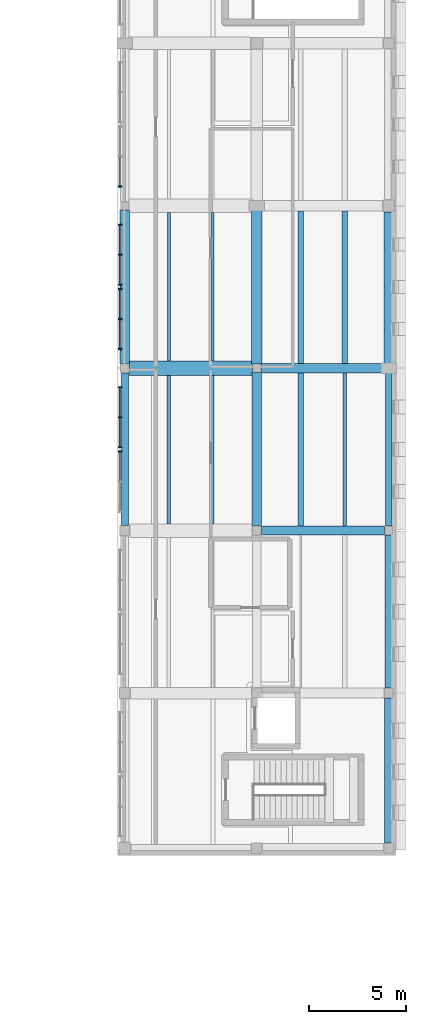
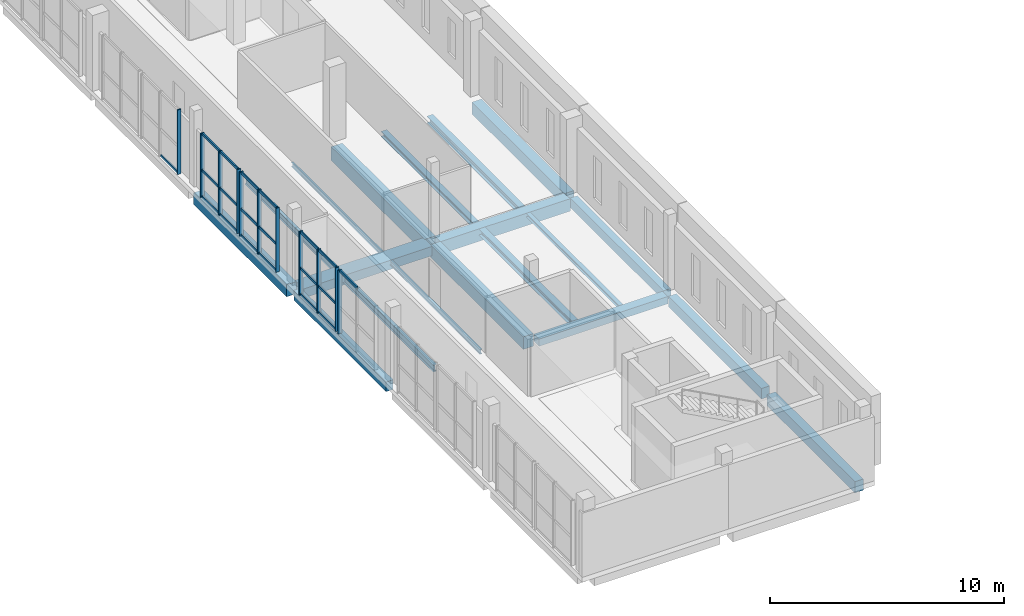
# One storey, part 25 of 56: 31 members, 19 beams, 5 elements without a shape of their own.
"""IFC4 building model written with IfcOpenShell, lengths in metres."""

from ifc_helpers import new_model, si_unit, direction, frame, origin, origin_2d, place, context, subcontext, project, spatial, rectangle, i_section, extrude, material, layer, layer_set, material_profile, profile_set, type_object, element, aggregate, save


model = new_model("IFC4")

# Units and contexts
model_context = context("Model", 3, precision=1e-05, world=origin(), true_north=direction((0.0, 1.0)))
body_context = subcontext(model_context, "Body", "Model", "MODEL_VIEW")
ifc_project = project(units=[si_unit("LENGTHUNIT", "METRE"), si_unit("AREAUNIT", "SQUARE_METRE"), si_unit("VOLUMEUNIT", "CUBIC_METRE"), si_unit("PLANEANGLEUNIT", "RADIAN"), si_unit("MASSUNIT", "GRAM", prefix="KILO")], contexts=[model_context])

# Site, building, storey
site_placement = place(None, origin())
site = spatial("IfcSite", under=ifc_project, at=site_placement, CompositionType="ELEMENT")
building_placement = place(site_placement, origin())
building = spatial("IfcBuilding", under=site, at=building_placement, Name="Vardoun Plaza Health Centre", CompositionType="ELEMENT")
storey_placement = place(building_placement, frame((0.0, 0.0, 8.699951171875)))
storey = spatial("IfcBuildingStorey", under=building, at=storey_placement, Name="L02", CompositionType="ELEMENT", Elevation=8.699951171875)

# Beams
ifc_material_1 = material(Name="Concrete C35/45", Category="concrete")
ifc_material_profile_1 = material_profile(ifc_material_1, rectangle(XDim=0.35009765625, YDim=0.5, at=origin_2d()), Name="RC-BM 350x500")
ifc_profile_set_1 = profile_set([ifc_material_profile_1], Name="Concrete C35/45")
beam_type_1 = type_object("IfcBeamType", Name="B-08", PredefinedType="SPANDREL", material=ifc_profile_set_1)
beam_1_placement = place(storey_placement, frame((151.280029296875, 53.375, -0.5), z_axis=(0.0, 1.0, 0.0), x_axis=(-1.0, 0.0, 0.0)))
element("IfcBeam", 1, at=beam_1_placement, inside=storey, type_object=beam_type_1, Name="V6 L02 Beam B-V6-L02-Y17", PredefinedType="SPANDREL", context=body_context, shape_type="SweptSolid", body=[
    extrude(rectangle(XDim=0.35009765625, YDim=0.5, at=origin_2d()), origin(), (0.0, 0.0, 1.0), 7.875),
])
beam_2_placement = place(storey_placement, frame((164.919921875, 53.324951171875, -0.5), z_axis=(0.0, 1.0, 0.0), x_axis=(-1.0, 0.0, 0.0)))
element("IfcBeam", 2, at=beam_2_placement, inside=storey, type_object=beam_type_1, Name="V6 L02 Beam B-V6-L02-Y27", PredefinedType="SPANDREL", context=body_context, shape_type="SweptSolid", body=[
    extrude(rectangle(XDim=0.35009765625, YDim=0.5, at=origin_2d()), origin(), (0.0, 0.0, 1.0), 7.97509765625),
])
ifc_material_2 = material(Name="Concrete C35/45", Category="concrete")
ifc_material_profile_2 = material_profile(ifc_material_2, rectangle(XDim=0.39990234375, YDim=0.550048828125, at=origin_2d()), Name="RC-BM 400x550")
ifc_profile_set_2 = profile_set([ifc_material_profile_2], Name="Concrete C35/45")
beam_type_2 = type_object("IfcBeamType", Name="B-09", PredefinedType="SPANDREL", material=ifc_profile_set_2)
beam_3_placement = place(storey_placement, frame((164.919921875, 44.949951171875, -0.52490234375), z_axis=(0.0, 1.0, 0.0), x_axis=(-1.0, 0.0, 0.0)))
element("IfcBeam", 3, at=beam_3_placement, inside=storey, type_object=beam_type_2, Name="V6 L02 Beam B-V6-L02-Y26", PredefinedType="SPANDREL", context=body_context, shape_type="SweptSolid", body=[
    extrude(rectangle(XDim=0.39990234375, YDim=0.550048828125, at=origin_2d()), origin(), (0.0, 0.0, 1.0), 7.925048828125),
])
ifc_material_3 = material(Name="Concrete C35/45", Category="concrete")
ifc_material_profile_3 = material_profile(ifc_material_3, rectangle(XDim=0.419921875, YDim=0.580078125, at=origin_2d()), Name="RC-BM 420x580")
ifc_profile_set_3 = profile_set([ifc_material_profile_3], Name="Concrete C35/45")
beam_type_3 = type_object("IfcBeamType", Name="B-10", PredefinedType="SPANDREL", material=ifc_profile_set_3)
beam_4_placement = place(storey_placement, frame((164.919921875, 36.955078125, -0.5400390625), z_axis=(0.0, 1.0, 0.0), x_axis=(-1.0, 0.0, 0.0)))
element("IfcBeam", 4, at=beam_4_placement, inside=storey, type_object=beam_type_3, Name="V6 L02 Beam B-V6-L02-Y25", PredefinedType="SPANDREL", context=body_context, shape_type="SweptSolid", body=[
    extrude(rectangle(XDim=0.419921875, YDim=0.580078125, at=origin_2d()), origin(), (0.0, 0.0, 1.0), 7.494873046875),
])
ifc_material_4 = material(Name="Concrete C35/45", Category="concrete")
ifc_material_profile_4 = material_profile(ifc_material_4, rectangle(XDim=0.449951171875, YDim=0.3798828125, at=origin_2d()), Name="RC-BM 450x380")
ifc_profile_set_4 = profile_set([ifc_material_profile_4], Name="Concrete C35/45")
beam_type_4 = type_object("IfcBeamType", Name="B-01", PredefinedType="BEAM", material=ifc_profile_set_4)
beam_5_placement = place(storey_placement, frame((158.35009765625, 53.10009765625, -0.43994140625), z_axis=(1.0, 0.0, 0.0), x_axis=(0.0, 1.0, 0.0)))
element("IfcBeam", 5, at=beam_5_placement, inside=storey, type_object=beam_type_4, Name="V6 L02 Beam B-V6-L02-X10", PredefinedType="BEAM", context=body_context, shape_type="SweptSolid", body=[
    extrude(rectangle(XDim=0.449951171875, YDim=0.3798828125, at=origin_2d()), origin(), (0.0, 0.0, 1.0), 6.344970703125),
])
ifc_material_5 = material(Name="Concrete C35/45", Category="concrete")
ifc_material_profile_5 = material_profile(ifc_material_5, rectangle(XDim=0.47998046875, YDim=0.6201171875, at=origin_2d()), Name="RC-BM 480x620")
ifc_profile_set_5 = profile_set([ifc_material_profile_5], Name="Concrete C35/45")
beam_type_5 = type_object("IfcBeamType", Name="B-12", PredefinedType="SPANDREL", material=ifc_profile_set_5)
beam_6_placement = place(storey_placement, frame((151.280029296875, 61.75, -0.56005859375), z_axis=(0.0, 1.0, 0.0), x_axis=(-1.0, 0.0, 0.0)))
element("IfcBeam", 6, at=beam_6_placement, inside=storey, type_object=beam_type_5, Name="V6 L02 Beam B-V6-L02-Y18", PredefinedType="SPANDREL", context=body_context, shape_type="SweptSolid", body=[
    extrude(rectangle(XDim=0.47998046875, YDim=0.6201171875, at=origin_2d()), origin(), (0.0, 0.0, 1.0), 7.925048828125),
])
beam_7_placement = place(storey_placement, frame((164.919921875, 61.699951171875, -0.56005859375), z_axis=(0.0, 1.0, 0.0), x_axis=(-1.0, 0.0, 0.0)))
element("IfcBeam", 7, at=beam_7_placement, inside=storey, type_object=beam_type_5, Name="V6 L02 Beam B-V6-L02-Y28", PredefinedType="SPANDREL", context=body_context, shape_type="SweptSolid", body=[
    extrude(rectangle(XDim=0.47998046875, YDim=0.6201171875, at=origin_2d()), origin(), (0.0, 0.0, 1.0), 7.875),
])
ifc_material_6 = material(Name="Concrete C40/50", Category="concrete")
ifc_material_profile_6 = material_profile(ifc_material_6, rectangle(XDim=0.5, YDim=0.64990234375, at=origin_2d()), Name="RC-BM 500x650")
ifc_profile_set_6 = profile_set([ifc_material_profile_6], Name="Concrete C40/50")
beam_type_6 = type_object("IfcBeamType", Name="B-13", PredefinedType="BEAM", material=ifc_profile_set_6)
beam_8_placement = place(storey_placement, frame((158.324951171875, 61.5, -0.574951171875), z_axis=(1.0, 0.0, 0.0), x_axis=(0.0, 1.0, 0.0)))
element("IfcBeam", 8, at=beam_8_placement, inside=storey, type_object=beam_type_6, Name="V6 L02 Beam B-V6-L02-X11", PredefinedType="BEAM", context=body_context, shape_type="SweptSolid", body=[
    extrude(rectangle(XDim=0.5, YDim=0.64990234375, at=origin_2d()), origin(), (0.0, 0.0, 1.0), 6.39501953125),
])
beam_9_placement = place(storey_placement, frame((158.10009765625, 53.35009765625, -0.574951171875), z_axis=(0.0, 1.0, 0.0), x_axis=(-1.0, 0.0, 0.0)))
element("IfcBeam", 9, at=beam_9_placement, inside=storey, type_object=beam_type_6, Name="V6 L02 Beam B-V6-L02-Y22", PredefinedType="BEAM", context=body_context, shape_type="SweptSolid", body=[
    extrude(rectangle(XDim=0.5, YDim=0.64990234375, at=origin_2d()), origin(), (0.0, 0.0, 1.0), 7.925048828125),
])
ifc_material_7 = material(Name="Concrete C40/50", Category="concrete")
ifc_material_profile_7 = material_profile(ifc_material_7, rectangle(XDim=0.550048828125, YDim=0.719970703125, at=origin_2d()), Name="RC-BM 550x720")
ifc_profile_set_7 = profile_set([ifc_material_profile_7], Name="Concrete C40/50")
beam_type_7 = type_object("IfcBeamType", Name="B-14", PredefinedType="BEAM", material=ifc_profile_set_7)
beam_10_placement = place(storey_placement, frame((158.10009765625, 61.72509765625, -0.60986328125), z_axis=(0.0, 1.0, 0.0), x_axis=(-1.0, 0.0, 0.0)))
element("IfcBeam", 10, at=beam_10_placement, inside=storey, type_object=beam_type_7, Name="V6 L02 Beam B-V6-L02-Y23", PredefinedType="BEAM", context=body_context, shape_type="SweptSolid", body=[
    extrude(rectangle(XDim=0.550048828125, YDim=0.719970703125, at=origin_2d()), origin(), (0.0, 0.0, 1.0), 7.974853515625),
])
ifc_material_8 = material(Name="Concrete C35/45", Category="concrete")
ifc_material_profile_8 = material_profile(ifc_material_8, rectangle(XDim=0.75, YDim=0.47998046875, at=origin_2d()), Name="RC-BM 750x480")
ifc_profile_set_8 = profile_set([ifc_material_profile_8], Name="Concrete C35/45")
beam_type_8 = type_object("IfcBeamType", Name="B-07", PredefinedType="BEAM", material=ifc_profile_set_8)
beam_11_placement = place(storey_placement, frame((151.530029296875, 61.5, -0.489990234375), z_axis=(1.0, 0.0, 0.0), x_axis=(0.0, 1.0, 0.0)))
element("IfcBeam", 11, at=beam_11_placement, inside=storey, type_object=beam_type_8, Name="V6 L02 Beam B-V6-L02-X04", PredefinedType="BEAM", context=body_context, shape_type="SweptSolid", body=[
    extrude(rectangle(XDim=0.75, YDim=0.47998046875, at=origin_2d()), origin(), (0.0, 0.0, 1.0), 6.344970703125),
])
ifc_material_9 = material(Name="Steel S355J2", Category="steel")
ifc_material_profile_9 = material_profile(ifc_material_9, i_section(OverallWidth=0.199951171875, OverallDepth=0.18994140625, WebThickness=0.006591796875, FlangeThickness=0.010009765625, FilletRadius=0.01806640625, at=origin_2d()), Name="HEA 200")
ifc_profile_set_9 = profile_set([ifc_material_profile_9], Name="Steel S355J2")
beam_type_9 = type_object("IfcBeamType", Name="SB-09", PredefinedType="BEAM", material=ifc_profile_set_9)
beam_12_placement = place(storey_placement, frame((162.64697265625, 53.324951171875, -0.344970703125), z_axis=(0.0, 1.0, 0.0), x_axis=(-1.0, 0.0, 0.0)))
element("IfcBeam", 12, at=beam_12_placement, inside=storey, type_object=beam_type_9, Name="V6 L02 Secondary Floor Beam SJ-V6-L02-14", PredefinedType="BEAM", context=body_context, shape_type="SweptSolid", body=[
    extrude(i_section(OverallWidth=0.199951171875, OverallDepth=0.18994140625, WebThickness=0.006591796875, FlangeThickness=0.010009765625, FilletRadius=0.01806640625, at=origin_2d()), origin(), (0.0, 0.0, 1.0), 7.925048828125),
])
ifc_material_10 = material(Name="Steel S355J2", Category="steel")
ifc_material_profile_10 = material_profile(ifc_material_10, i_section(OverallWidth=0.280029296875, OverallDepth=0.27001953125, WebThickness=0.008056640625, FlangeThickness=0.012939453125, FilletRadius=0.02392578125, at=origin_2d()), Name="HEA 280")
ifc_profile_set_10 = profile_set([ifc_material_profile_10], Name="Steel S355J2")
beam_type_10 = type_object("IfcBeamType", Name="SB-06", PredefinedType="BEAM", material=ifc_profile_set_10)
beam_13_placement = place(storey_placement, frame((160.373046875, 61.75, -0.385009765625), z_axis=(0.0, 1.0, 0.0), x_axis=(-1.0, 0.0, 0.0)))
element("IfcBeam", 13, at=beam_13_placement, inside=storey, type_object=beam_type_10, Name="V6 L02 Secondary Floor Beam SJ-V6-L02-11", PredefinedType="BEAM", context=body_context, shape_type="SweptSolid", body=[
    extrude(i_section(OverallWidth=0.280029296875, OverallDepth=0.27001953125, WebThickness=0.008056640625, FlangeThickness=0.012939453125, FilletRadius=0.02392578125, at=origin_2d()), origin(), (0.0, 0.0, 1.0), 7.875),
])
ifc_material_11 = material(Name="Steel S355J2", Category="steel")
ifc_material_profile_11 = material_profile(ifc_material_11, i_section(OverallWidth=0.300048828125, OverallDepth=0.330078125, WebThickness=0.009521484375, FlangeThickness=0.0166015625, FilletRadius=0.027099609375, at=origin_2d()), Name="HEA 340")
ifc_profile_set_11 = profile_set([ifc_material_profile_11], Name="Steel S355J2")
beam_type_11 = type_object("IfcBeamType", Name="SB-04", PredefinedType="BEAM", material=ifc_profile_set_11)
beam_14_placement = place(storey_placement, frame((160.373046875, 53.324951171875, -0.4150390625), z_axis=(0.0, 1.0, 0.0), x_axis=(-1.0, 0.0, 0.0)))
element("IfcBeam", 14, at=beam_14_placement, inside=storey, type_object=beam_type_11, Name="V6 L02 Secondary Floor Beam SJ-V6-L02-10", PredefinedType="BEAM", context=body_context, shape_type="SweptSolid", body=[
    extrude(i_section(OverallWidth=0.300048828125, OverallDepth=0.330078125, WebThickness=0.009521484375, FlangeThickness=0.0166015625, FilletRadius=0.027099609375, at=origin_2d()), origin(), (0.0, 0.0, 1.0), 7.925048828125),
])
ifc_material_12 = material(Name="Steel S355J2", Category="steel")
ifc_material_profile_12 = material_profile(ifc_material_12, i_section(OverallWidth=0.300048828125, OverallDepth=0.360107421875, WebThickness=0.012451171875, FlangeThickness=0.0224609375, FilletRadius=0.027099609375, at=origin_2d()), Name="HEB 360")
ifc_profile_set_12 = profile_set([ifc_material_profile_12], Name="Steel S355J2")
beam_type_12 = type_object("IfcBeamType", Name="RB-04", PredefinedType="BEAM", material=ifc_profile_set_12)
beam_15_placement = place(storey_placement, frame((162.64697265625, 61.75, -0.429931640625), z_axis=(0.0, 1.0, 0.0), x_axis=(-1.0, 0.0, 0.0)))
element("IfcBeam", 15, at=beam_15_placement, inside=storey, type_object=beam_type_12, Name="V6 L02 Secondary Floor Beam SJ-V6-L02-15", PredefinedType="BEAM", context=body_context, shape_type="SweptSolid", body=[
    extrude(i_section(OverallWidth=0.300048828125, OverallDepth=0.360107421875, WebThickness=0.012451171875, FlangeThickness=0.0224609375, FilletRadius=0.027099609375, at=origin_2d()), origin(), (0.0, 0.0, 1.0), 7.875),
])
ifc_material_13 = material(Name="Steel S355J2", Category="steel")
ifc_material_profile_13 = material_profile(ifc_material_13, i_section(OverallWidth=0.110107421875, OverallDepth=0.219970703125, WebThickness=0.005859375, FlangeThickness=0.00927734375, FilletRadius=0.011962890625, at=origin_2d()), Name="IPE 220")
ifc_profile_set_13 = profile_set([ifc_material_profile_13], Name="Steel S355J2")
beam_type_13 = type_object("IfcBeamType", Name="SB-18", PredefinedType="JOIST", material=ifc_profile_set_13)
beam_16_placement = place(storey_placement, frame((155.826904296875, 61.875, -0.35986328125), z_axis=(0.0, 1.0, 0.0), x_axis=(-1.0, 0.0, 0.0)))
element("IfcBeam", 16, at=beam_16_placement, inside=storey, type_object=beam_type_13, Name="V6 L02 Secondary Floor Beam SJ-V6-L02-07", PredefinedType="JOIST", context=body_context, shape_type="SweptSolid", body=[
    extrude(i_section(OverallWidth=0.110107421875, OverallDepth=0.219970703125, WebThickness=0.005859375, FlangeThickness=0.00927734375, FilletRadius=0.011962890625, at=origin_2d()), origin(), (0.0, 0.0, 1.0), 7.675048828125),
])
ifc_material_14 = material(Name="Steel S355J2", Category="steel")
ifc_material_profile_14 = material_profile(ifc_material_14, i_section(OverallWidth=0.1201171875, OverallDepth=0.239990234375, WebThickness=0.006103515625, FlangeThickness=0.009765625, FilletRadius=0.014892578125, at=origin_2d()), Name="IPE 240")
ifc_profile_set_14 = profile_set([ifc_material_profile_14], Name="Steel S355J2")
beam_type_14 = type_object("IfcBeamType", Name="SB-17", PredefinedType="JOIST", material=ifc_profile_set_14)
beam_17_placement = place(storey_placement, frame((155.826904296875, 53.449951171875, -0.369873046875), z_axis=(0.0, 1.0, 0.0), x_axis=(-1.0, 0.0, 0.0)))
element("IfcBeam", 17, at=beam_17_placement, inside=storey, type_object=beam_type_14, Name="V6 L02 Secondary Floor Beam SJ-V6-L02-06", PredefinedType="JOIST", context=body_context, shape_type="SweptSolid", body=[
    extrude(i_section(OverallWidth=0.1201171875, OverallDepth=0.239990234375, WebThickness=0.006103515625, FlangeThickness=0.009765625, FilletRadius=0.014892578125, at=origin_2d()), origin(), (0.0, 0.0, 1.0), 7.675048828125),
])
ifc_material_15 = material(Name="Steel S355J2", Category="steel")
ifc_material_profile_15 = material_profile(ifc_material_15, i_section(OverallWidth=0.159912109375, OverallDepth=0.330078125, WebThickness=0.007568359375, FlangeThickness=0.011474609375, FilletRadius=0.01806640625, at=origin_2d()), Name="IPE 330")
ifc_profile_set_15 = profile_set([ifc_material_profile_15], Name="Steel S355J2")
beam_type_15 = type_object("IfcBeamType", Name="SB-14", PredefinedType="JOIST", material=ifc_profile_set_15)
beam_18_placement = place(storey_placement, frame((153.552978515625, 61.875, -0.4150390625), z_axis=(0.0, 1.0, 0.0), x_axis=(-1.0, 0.0, 0.0)))
element("IfcBeam", 18, at=beam_18_placement, inside=storey, type_object=beam_type_15, Name="V6 L02 Secondary Floor Beam SJ-V6-L02-03", PredefinedType="JOIST", context=body_context, shape_type="SweptSolid", body=[
    extrude(i_section(OverallWidth=0.159912109375, OverallDepth=0.330078125, WebThickness=0.007568359375, FlangeThickness=0.011474609375, FilletRadius=0.01806640625, at=origin_2d()), origin(), (0.0, 0.0, 1.0), 7.675048828125),
])
ifc_material_16 = material(Name="Steel S355J2", Category="steel")
ifc_material_profile_16 = material_profile(ifc_material_16, i_section(OverallWidth=0.169921875, OverallDepth=0.360107421875, WebThickness=0.008056640625, FlangeThickness=0.0126953125, FilletRadius=0.01806640625, at=origin_2d()), Name="IPE 360")
ifc_profile_set_16 = profile_set([ifc_material_profile_16], Name="Steel S355J2")
beam_type_16 = type_object("IfcBeamType", Name="SB-13", PredefinedType="JOIST", material=ifc_profile_set_16)
beam_19_placement = place(storey_placement, frame((153.552978515625, 53.449951171875, -0.429931640625), z_axis=(0.0, 1.0, 0.0), x_axis=(-1.0, 0.0, 0.0)))
element("IfcBeam", 19, at=beam_19_placement, inside=storey, type_object=beam_type_16, Name="V6 L02 Secondary Floor Beam SJ-V6-L02-02", PredefinedType="JOIST", context=body_context, shape_type="SweptSolid", body=[
    extrude(i_section(OverallWidth=0.169921875, OverallDepth=0.360107421875, WebThickness=0.008056640625, FlangeThickness=0.0126953125, FilletRadius=0.01806640625, at=origin_2d()), origin(), (0.0, 0.0, 1.0), 7.675048828125),
])

# Curtain wall, member
ifc_material_17 = material(Name="Aluminium Alloy EN AW-6063-T6 and Low-E Glass", Category="aluminium")
ifc_layer = layer(ifc_material_17, 0.179931640625)
ifc_layer_set = layer_set([ifc_layer], Name="Aluminium Alloy EN AW-6063-T6 and Low-E Glass")
curtain_wall_type = type_object("IfcCurtainWallType", Name="CW-01", PredefinedType="USERDEFINED", material=ifc_layer_set)
curtain_wall_1_placement = place(storey_placement, origin())
curtain_wall_1 = element("IfcCurtainWall", 20, at=curtain_wall_1_placement, inside=storey, type_object=curtain_wall_type, Name="Curtain Wall CW-V6-219", ObjectType="CONCOURSE_CURTAIN_WALL", PredefinedType="USERDEFINED")
ifc_material_18 = material(Name="Aluminium Alloy EN AW-6063-T6", Category="aluminium")
ifc_material_profile_17 = material_profile(ifc_material_18, rectangle(XDim=0.179931640625, YDim=0.06494140625, at=origin_2d()), Name="CWM 65x180")
ifc_profile_set_17 = profile_set([ifc_material_profile_17], Name="Aluminium Alloy EN AW-6063-T6")
member_type_1 = type_object("IfcMemberType", Name="CW-M2", PredefinedType="MULLION", material=ifc_profile_set_17)
member_1_placement = place(storey_placement, frame((151.02001953125, 57.1875, 0.0), z_axis=(0.0, 0.0, 1.0), x_axis=(-1.0, 0.0, 0.0)))
member_1 = element("IfcMember", 21, at=member_1_placement, type_object=member_type_1, Name="CW-V6-219 mullion 3", PredefinedType="MULLION", context=body_context, shape_type="SweptSolid", body=[
    extrude(rectangle(XDim=0.179931640625, YDim=0.06494140625, at=origin_2d()), origin(), (0.0, 0.0, 1.0), 3.31494140625),
])

# Curtain wall, members
curtain_wall_2_placement = place(storey_placement, origin())
curtain_wall_2 = element("IfcCurtainWall", 22, at=curtain_wall_2_placement, inside=storey, type_object=curtain_wall_type, Name="Curtain Wall CW-V6-220", ObjectType="CONCOURSE_CURTAIN_WALL", PredefinedType="USERDEFINED")
member_2_placement = place(storey_placement, frame((151.02001953125, 57.41259765625, 0.0), z_axis=(0.0, 0.0, 1.0), x_axis=(-1.0, 0.0, 0.0)))
member_2 = element("IfcMember", 23, at=member_2_placement, type_object=member_type_1, Name="CW-V6-220 mullion 1", PredefinedType="MULLION", context=body_context, shape_type="SweptSolid", body=[
    extrude(rectangle(XDim=0.179931640625, YDim=0.06494140625, at=origin_2d()), origin(), (0.0, 0.0, 1.0), 3.31494140625),
])
member_3_placement = place(storey_placement, frame((151.02001953125, 58.9599609375, 0.0), z_axis=(0.0, 0.0, 1.0), x_axis=(-1.0, 0.0, 0.0)))
member_3 = element("IfcMember", 24, at=member_3_placement, type_object=member_type_1, Name="CW-V6-220 mullion 2", PredefinedType="MULLION", context=body_context, shape_type="SweptSolid", body=[
    extrude(rectangle(XDim=0.179931640625, YDim=0.06494140625, at=origin_2d()), origin(), (0.0, 0.0, 1.0), 3.31494140625),
])
member_4_placement = place(storey_placement, frame((151.02001953125, 60.507568359375, 0.0), z_axis=(0.0, 0.0, 1.0), x_axis=(-1.0, 0.0, 0.0)))
member_4 = element("IfcMember", 25, at=member_4_placement, type_object=member_type_1, Name="CW-V6-220 mullion 3", PredefinedType="MULLION", context=body_context, shape_type="SweptSolid", body=[
    extrude(rectangle(XDim=0.179931640625, YDim=0.06494140625, at=origin_2d()), origin(), (0.0, 0.0, 1.0), 3.31494140625),
])

curtain_wall_3_placement = place(storey_placement, origin())
curtain_wall_3 = element("IfcCurtainWall", 26, at=curtain_wall_3_placement, inside=storey, type_object=curtain_wall_type, Name="Curtain Wall CW-V6-221", ObjectType="CONCOURSE_CURTAIN_WALL", PredefinedType="USERDEFINED")
member_5_placement = place(storey_placement, frame((151.02001953125, 62.492431640625, 0.0), z_axis=(0.0, 0.0, 1.0), x_axis=(-1.0, 0.0, 0.0)))
member_5 = element("IfcMember", 27, at=member_5_placement, type_object=member_type_1, Name="CW-V6-221 mullion 1", PredefinedType="MULLION", context=body_context, shape_type="SweptSolid", body=[
    extrude(rectangle(XDim=0.179931640625, YDim=0.06494140625, at=origin_2d()), origin(), (0.0, 0.0, 1.0), 3.3349609375),
])
member_6_placement = place(storey_placement, frame((151.02001953125, 64.0400390625, 0.0), z_axis=(0.0, 0.0, 1.0), x_axis=(-1.0, 0.0, 0.0)))
member_6 = element("IfcMember", 28, at=member_6_placement, type_object=member_type_1, Name="CW-V6-221 mullion 2", PredefinedType="MULLION", context=body_context, shape_type="SweptSolid", body=[
    extrude(rectangle(XDim=0.179931640625, YDim=0.06494140625, at=origin_2d()), origin(), (0.0, 0.0, 1.0), 3.3349609375),
])
member_7_placement = place(storey_placement, frame((151.02001953125, 65.587646484375, 0.0), z_axis=(0.0, 0.0, 1.0), x_axis=(-1.0, 0.0, 0.0)))
member_7 = element("IfcMember", 29, at=member_7_placement, type_object=member_type_1, Name="CW-V6-221 mullion 3", PredefinedType="MULLION", context=body_context, shape_type="SweptSolid", body=[
    extrude(rectangle(XDim=0.179931640625, YDim=0.06494140625, at=origin_2d()), origin(), (0.0, 0.0, 1.0), 3.3349609375),
])

curtain_wall_4_placement = place(storey_placement, origin())
curtain_wall_4 = element("IfcCurtainWall", 30, at=curtain_wall_4_placement, inside=storey, type_object=curtain_wall_type, Name="Curtain Wall CW-V6-222", ObjectType="CONCOURSE_CURTAIN_WALL", PredefinedType="USERDEFINED")
member_8_placement = place(storey_placement, frame((151.02001953125, 65.8125, 0.0), z_axis=(0.0, 0.0, 1.0), x_axis=(-1.0, 0.0, 0.0)))
member_8 = element("IfcMember", 31, at=member_8_placement, type_object=member_type_1, Name="CW-V6-222 mullion 1", PredefinedType="MULLION", context=body_context, shape_type="SweptSolid", body=[
    extrude(rectangle(XDim=0.179931640625, YDim=0.06494140625, at=origin_2d()), origin(), (0.0, 0.0, 1.0), 3.3349609375),
])
member_9_placement = place(storey_placement, frame((151.02001953125, 67.360107421875, 0.0), z_axis=(0.0, 0.0, 1.0), x_axis=(-1.0, 0.0, 0.0)))
member_9 = element("IfcMember", 32, at=member_9_placement, type_object=member_type_1, Name="CW-V6-222 mullion 2", PredefinedType="MULLION", context=body_context, shape_type="SweptSolid", body=[
    extrude(rectangle(XDim=0.179931640625, YDim=0.06494140625, at=origin_2d()), origin(), (0.0, 0.0, 1.0), 3.3349609375),
])
member_10_placement = place(storey_placement, frame((151.02001953125, 68.907470703125, 0.0), z_axis=(0.0, 0.0, 1.0), x_axis=(-1.0, 0.0, 0.0)))
member_10 = element("IfcMember", 33, at=member_10_placement, type_object=member_type_1, Name="CW-V6-222 mullion 3", PredefinedType="MULLION", context=body_context, shape_type="SweptSolid", body=[
    extrude(rectangle(XDim=0.179931640625, YDim=0.06494140625, at=origin_2d()), origin(), (0.0, 0.0, 1.0), 3.3349609375),
])

# Curtain wall, member
curtain_wall_5_placement = place(storey_placement, origin())
curtain_wall_5 = element("IfcCurtainWall", 34, at=curtain_wall_5_placement, inside=storey, type_object=curtain_wall_type, Name="Curtain Wall CW-V6-223", ObjectType="CONCOURSE_CURTAIN_WALL", PredefinedType="USERDEFINED")
member_11_placement = place(storey_placement, frame((151.02001953125, 70.892578125, 0.0), z_axis=(0.0, 0.0, 1.0), x_axis=(-1.0, 0.0, 0.0)))
member_11 = element("IfcMember", 35, at=member_11_placement, type_object=member_type_1, Name="CW-V6-223 mullion 1", PredefinedType="MULLION", context=body_context, shape_type="SweptSolid", body=[
    extrude(rectangle(XDim=0.179931640625, YDim=0.06494140625, at=origin_2d()), origin(), (0.0, 0.0, 1.0), 3.35498046875),
])

# Member
ifc_material_19 = material(Name="Aluminium Alloy EN AW-6063-T6", Category="aluminium")
ifc_material_profile_18 = material_profile(ifc_material_19, rectangle(XDim=0.06494140625, YDim=0.139892578125, at=origin_2d()), Name="CWT 65x140")
ifc_profile_set_18 = profile_set([ifc_material_profile_18], Name="Aluminium Alloy EN AW-6063-T6")
member_type_2 = type_object("IfcMemberType", Name="CW-T2", PredefinedType="USERDEFINED", material=ifc_profile_set_18)
member_12_placement = place(storey_placement, frame((151.02001953125, 55.672607421875, 3.282470703125), z_axis=(0.0, 1.0, 0.0), x_axis=(-1.0, 0.0, 0.0)))
member_12 = element("IfcMember", 36, at=member_12_placement, type_object=member_type_2, Name="CW-V6-219 transom 2.3", ObjectType="TRANSOM", PredefinedType="USERDEFINED", context=body_context, shape_type="SweptSolid", body=[
    extrude(rectangle(XDim=0.06494140625, YDim=0.139892578125, at=origin_2d()), origin(), (0.0, 0.0, 1.0), 1.482421875),
])

aggregate(curtain_wall_1, [member_1, member_12])

member_13_placement = place(storey_placement, frame((151.02001953125, 57.445068359375, 0.032470703125), z_axis=(0.0, 1.0, 0.0), x_axis=(-1.0, 0.0, 0.0)))
member_13 = element("IfcMember", 37, at=member_13_placement, type_object=member_type_2, Name="CW-V6-220 transom 1.1", ObjectType="TRANSOM", PredefinedType="USERDEFINED", context=body_context, shape_type="SweptSolid", body=[
    extrude(rectangle(XDim=0.06494140625, YDim=0.139892578125, at=origin_2d()), origin(), (0.0, 0.0, 1.0), 1.482421875),
])

member_14_placement = place(storey_placement, frame((151.02001953125, 57.445068359375, 1.392333984375), z_axis=(0.0, 1.0, 0.0), x_axis=(-1.0, 0.0, 0.0)))
member_14 = element("IfcMember", 38, at=member_14_placement, type_object=member_type_2, Name="CW-V6-220 transom 1.2", ObjectType="TRANSOM", PredefinedType="USERDEFINED", context=body_context, shape_type="SweptSolid", body=[
    extrude(rectangle(XDim=0.06494140625, YDim=0.139892578125, at=origin_2d()), origin(), (0.0, 0.0, 1.0), 1.482421875),
])

member_15_placement = place(storey_placement, frame((151.02001953125, 57.445068359375, 3.282470703125), z_axis=(0.0, 1.0, 0.0), x_axis=(-1.0, 0.0, 0.0)))
member_15 = element("IfcMember", 39, at=member_15_placement, type_object=member_type_2, Name="CW-V6-220 transom 1.3", ObjectType="TRANSOM", PredefinedType="USERDEFINED", context=body_context, shape_type="SweptSolid", body=[
    extrude(rectangle(XDim=0.06494140625, YDim=0.139892578125, at=origin_2d()), origin(), (0.0, 0.0, 1.0), 1.482421875),
])

member_16_placement = place(storey_placement, frame((151.02001953125, 58.992431640625, 0.032470703125), z_axis=(0.0, 1.0, 0.0), x_axis=(-1.0, 0.0, 0.0)))
member_16 = element("IfcMember", 40, at=member_16_placement, type_object=member_type_2, Name="CW-V6-220 transom 2.1", ObjectType="TRANSOM", PredefinedType="USERDEFINED", context=body_context, shape_type="SweptSolid", body=[
    extrude(rectangle(XDim=0.06494140625, YDim=0.139892578125, at=origin_2d()), origin(), (0.0, 0.0, 1.0), 1.482666015625),
])

member_17_placement = place(storey_placement, frame((151.02001953125, 58.992431640625, 1.392333984375), z_axis=(0.0, 1.0, 0.0), x_axis=(-1.0, 0.0, 0.0)))
member_17 = element("IfcMember", 41, at=member_17_placement, type_object=member_type_2, Name="CW-V6-220 transom 2.2", ObjectType="TRANSOM", PredefinedType="USERDEFINED", context=body_context, shape_type="SweptSolid", body=[
    extrude(rectangle(XDim=0.06494140625, YDim=0.139892578125, at=origin_2d()), origin(), (0.0, 0.0, 1.0), 1.482666015625),
])

member_18_placement = place(storey_placement, frame((151.02001953125, 58.992431640625, 3.282470703125), z_axis=(0.0, 1.0, 0.0), x_axis=(-1.0, 0.0, 0.0)))
member_18 = element("IfcMember", 42, at=member_18_placement, type_object=member_type_2, Name="CW-V6-220 transom 2.3", ObjectType="TRANSOM", PredefinedType="USERDEFINED", context=body_context, shape_type="SweptSolid", body=[
    extrude(rectangle(XDim=0.06494140625, YDim=0.139892578125, at=origin_2d()), origin(), (0.0, 0.0, 1.0), 1.482666015625),
])

aggregate(curtain_wall_2, [member_2, member_3, member_4, member_13, member_14, member_15, member_16, member_17, member_18])

member_19_placement = place(storey_placement, frame((151.02001953125, 62.525146484375, 0.032470703125), z_axis=(0.0, 1.0, 0.0), x_axis=(-1.0, 0.0, 0.0)))
member_19 = element("IfcMember", 43, at=member_19_placement, type_object=member_type_2, Name="CW-V6-221 transom 1.1", ObjectType="TRANSOM", PredefinedType="USERDEFINED", context=body_context, shape_type="SweptSolid", body=[
    extrude(rectangle(XDim=0.06494140625, YDim=0.139892578125, at=origin_2d()), origin(), (0.0, 0.0, 1.0), 1.482421875),
])

member_20_placement = place(storey_placement, frame((151.02001953125, 62.525146484375, 1.400634765625), z_axis=(0.0, 1.0, 0.0), x_axis=(-1.0, 0.0, 0.0)))
member_20 = element("IfcMember", 44, at=member_20_placement, type_object=member_type_2, Name="CW-V6-221 transom 1.2", ObjectType="TRANSOM", PredefinedType="USERDEFINED", context=body_context, shape_type="SweptSolid", body=[
    extrude(rectangle(XDim=0.06494140625, YDim=0.139892578125, at=origin_2d()), origin(), (0.0, 0.0, 1.0), 1.482421875),
])

member_21_placement = place(storey_placement, frame((151.02001953125, 62.525146484375, 3.302490234375), z_axis=(0.0, 1.0, 0.0), x_axis=(-1.0, 0.0, 0.0)))
member_21 = element("IfcMember", 45, at=member_21_placement, type_object=member_type_2, Name="CW-V6-221 transom 1.3", ObjectType="TRANSOM", PredefinedType="USERDEFINED", context=body_context, shape_type="SweptSolid", body=[
    extrude(rectangle(XDim=0.06494140625, YDim=0.139892578125, at=origin_2d()), origin(), (0.0, 0.0, 1.0), 1.482421875),
])

member_22_placement = place(storey_placement, frame((151.02001953125, 64.072509765625, 0.032470703125), z_axis=(0.0, 1.0, 0.0), x_axis=(-1.0, 0.0, 0.0)))
member_22 = element("IfcMember", 46, at=member_22_placement, type_object=member_type_2, Name="CW-V6-221 transom 2.1", ObjectType="TRANSOM", PredefinedType="USERDEFINED", context=body_context, shape_type="SweptSolid", body=[
    extrude(rectangle(XDim=0.06494140625, YDim=0.139892578125, at=origin_2d()), origin(), (0.0, 0.0, 1.0), 1.482421875),
])

member_23_placement = place(storey_placement, frame((151.02001953125, 64.072509765625, 1.400634765625), z_axis=(0.0, 1.0, 0.0), x_axis=(-1.0, 0.0, 0.0)))
member_23 = element("IfcMember", 47, at=member_23_placement, type_object=member_type_2, Name="CW-V6-221 transom 2.2", ObjectType="TRANSOM", PredefinedType="USERDEFINED", context=body_context, shape_type="SweptSolid", body=[
    extrude(rectangle(XDim=0.06494140625, YDim=0.139892578125, at=origin_2d()), origin(), (0.0, 0.0, 1.0), 1.482421875),
])

member_24_placement = place(storey_placement, frame((151.02001953125, 64.072509765625, 3.302490234375), z_axis=(0.0, 1.0, 0.0), x_axis=(-1.0, 0.0, 0.0)))
member_24 = element("IfcMember", 48, at=member_24_placement, type_object=member_type_2, Name="CW-V6-221 transom 2.3", ObjectType="TRANSOM", PredefinedType="USERDEFINED", context=body_context, shape_type="SweptSolid", body=[
    extrude(rectangle(XDim=0.06494140625, YDim=0.139892578125, at=origin_2d()), origin(), (0.0, 0.0, 1.0), 1.482421875),
])

aggregate(curtain_wall_3, [member_5, member_6, member_7, member_19, member_20, member_21, member_22, member_23, member_24])

member_25_placement = place(storey_placement, frame((151.02001953125, 65.844970703125, 0.032470703125), z_axis=(0.0, 1.0, 0.0), x_axis=(-1.0, 0.0, 0.0)))
member_25 = element("IfcMember", 49, at=member_25_placement, type_object=member_type_2, Name="CW-V6-222 transom 1.1", ObjectType="TRANSOM", PredefinedType="USERDEFINED", context=body_context, shape_type="SweptSolid", body=[
    extrude(rectangle(XDim=0.06494140625, YDim=0.139892578125, at=origin_2d()), origin(), (0.0, 0.0, 1.0), 1.482421875),
])

member_26_placement = place(storey_placement, frame((151.02001953125, 65.844970703125, 1.400634765625), z_axis=(0.0, 1.0, 0.0), x_axis=(-1.0, 0.0, 0.0)))
member_26 = element("IfcMember", 50, at=member_26_placement, type_object=member_type_2, Name="CW-V6-222 transom 1.2", ObjectType="TRANSOM", PredefinedType="USERDEFINED", context=body_context, shape_type="SweptSolid", body=[
    extrude(rectangle(XDim=0.06494140625, YDim=0.139892578125, at=origin_2d()), origin(), (0.0, 0.0, 1.0), 1.482421875),
])

member_27_placement = place(storey_placement, frame((151.02001953125, 65.844970703125, 3.302490234375), z_axis=(0.0, 1.0, 0.0), x_axis=(-1.0, 0.0, 0.0)))
member_27 = element("IfcMember", 51, at=member_27_placement, type_object=member_type_2, Name="CW-V6-222 transom 1.3", ObjectType="TRANSOM", PredefinedType="USERDEFINED", context=body_context, shape_type="SweptSolid", body=[
    extrude(rectangle(XDim=0.06494140625, YDim=0.139892578125, at=origin_2d()), origin(), (0.0, 0.0, 1.0), 1.482421875),
])

member_28_placement = place(storey_placement, frame((151.02001953125, 67.392578125, 0.032470703125), z_axis=(0.0, 1.0, 0.0), x_axis=(-1.0, 0.0, 0.0)))
member_28 = element("IfcMember", 52, at=member_28_placement, type_object=member_type_2, Name="CW-V6-222 transom 2.1", ObjectType="TRANSOM", PredefinedType="USERDEFINED", context=body_context, shape_type="SweptSolid", body=[
    extrude(rectangle(XDim=0.06494140625, YDim=0.139892578125, at=origin_2d()), origin(), (0.0, 0.0, 1.0), 1.482421875),
])

member_29_placement = place(storey_placement, frame((151.02001953125, 67.392578125, 1.400634765625), z_axis=(0.0, 1.0, 0.0), x_axis=(-1.0, 0.0, 0.0)))
member_29 = element("IfcMember", 53, at=member_29_placement, type_object=member_type_2, Name="CW-V6-222 transom 2.2", ObjectType="TRANSOM", PredefinedType="USERDEFINED", context=body_context, shape_type="SweptSolid", body=[
    extrude(rectangle(XDim=0.06494140625, YDim=0.139892578125, at=origin_2d()), origin(), (0.0, 0.0, 1.0), 1.482421875),
])

member_30_placement = place(storey_placement, frame((151.02001953125, 67.392578125, 3.302490234375), z_axis=(0.0, 1.0, 0.0), x_axis=(-1.0, 0.0, 0.0)))
member_30 = element("IfcMember", 54, at=member_30_placement, type_object=member_type_2, Name="CW-V6-222 transom 2.3", ObjectType="TRANSOM", PredefinedType="USERDEFINED", context=body_context, shape_type="SweptSolid", body=[
    extrude(rectangle(XDim=0.06494140625, YDim=0.139892578125, at=origin_2d()), origin(), (0.0, 0.0, 1.0), 1.482421875),
])

aggregate(curtain_wall_4, [member_8, member_9, member_10, member_25, member_26, member_27, member_28, member_29, member_30])

member_31_placement = place(storey_placement, frame((151.02001953125, 70.925048828125, 0.032470703125), z_axis=(0.0, 1.0, 0.0), x_axis=(-1.0, 0.0, 0.0)))
member_31 = element("IfcMember", 55, at=member_31_placement, type_object=member_type_2, Name="CW-V6-223 transom 1.1", ObjectType="TRANSOM", PredefinedType="USERDEFINED", context=body_context, shape_type="SweptSolid", body=[
    extrude(rectangle(XDim=0.06494140625, YDim=0.139892578125, at=origin_2d()), origin(), (0.0, 0.0, 1.0), 1.482421875),
])

aggregate(curtain_wall_5, [member_11, member_31])

save(model, "model.ifc")
